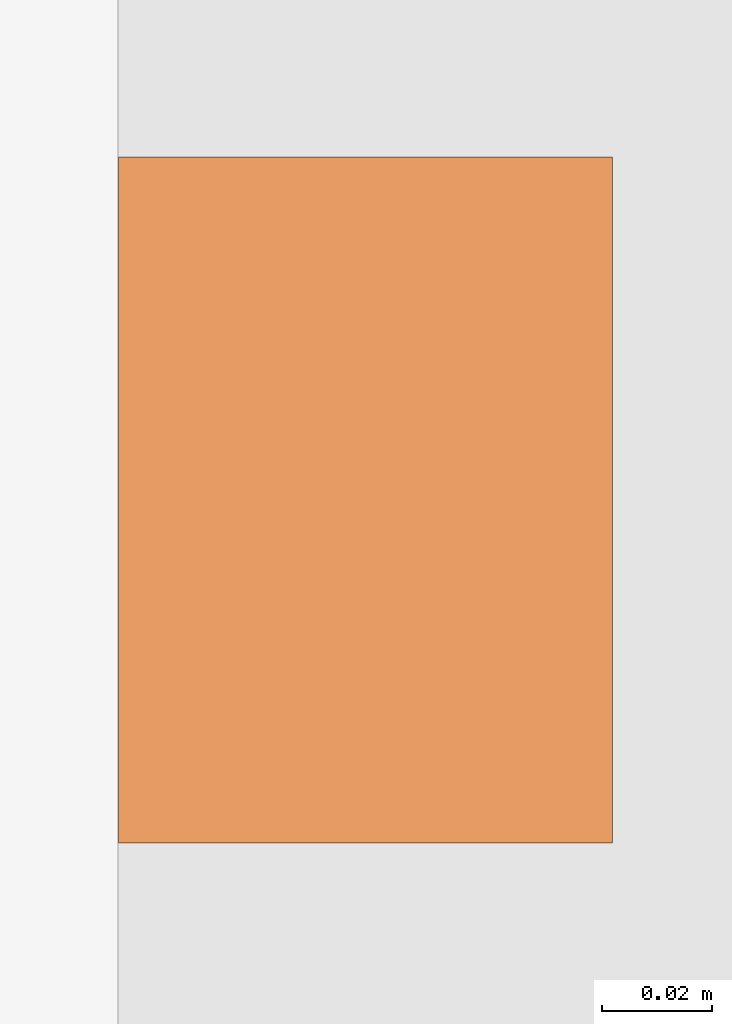
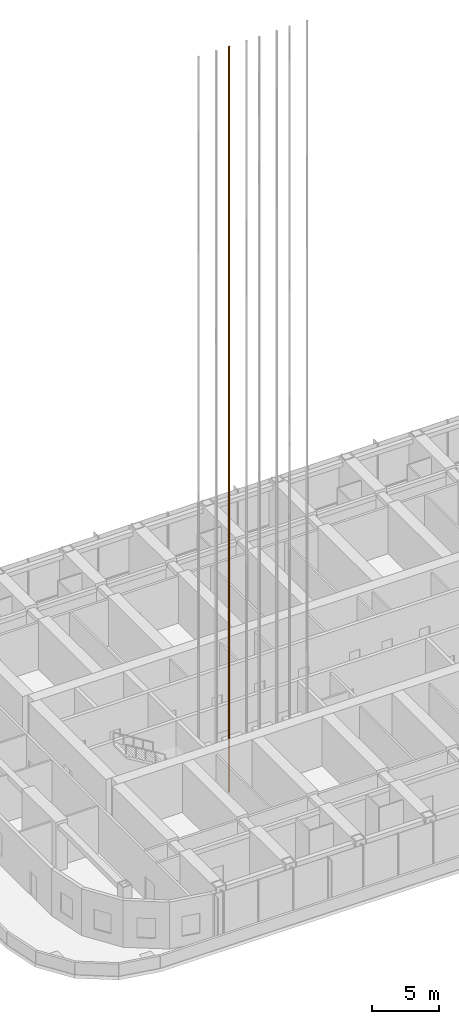
# One storey, part 27 of 32: 1 proxy.
"""IFC4 building model written with IfcOpenShell, lengths in metres."""

from ifc_helpers import new_model, si_unit, direction, frame, origin, origin_2d, place, context, subcontext, project, spatial, rectangle, extrude, material, element, save


model = new_model("IFC4")

# Units and contexts
model_context = context("Model", 3, precision=1e-05, world=origin(), true_north=direction((0.0, 1.0)))
body_context = subcontext(model_context, "Body", "Model", "MODEL_VIEW")
ifc_project = project(units=[si_unit("LENGTHUNIT", "METRE"), si_unit("AREAUNIT", "SQUARE_METRE"), si_unit("VOLUMEUNIT", "CUBIC_METRE"), si_unit("PLANEANGLEUNIT", "RADIAN"), si_unit("MASSUNIT", "GRAM", prefix="KILO")], contexts=[model_context])

# Site, building, storey
site_placement = place(None, origin())
site = spatial("IfcSite", under=ifc_project, at=site_placement, CompositionType="ELEMENT")
building_placement = place(site_placement, origin())
building = spatial("IfcBuilding", under=site, at=building_placement, Name="Orbita Commons", CompositionType="ELEMENT")
storey_placement = place(building_placement, frame((0.0, 0.0, 140.35009765625)))
storey = spatial("IfcBuildingStorey", under=building, at=storey_placement, Name="L34", CompositionType="ELEMENT", Elevation=140.35009765625)

# Proxy
ifc_material = material(Name="Machined steel guide rail", Category="steel")
placement = place(storey_placement, frame((29.89990234375, 28.10009765625, 0.0), z_axis=(0.0, 0.0, 1.0), x_axis=(1.0, 0.0, 0.0)))
proxy_placement = place(placement, frame((-0.7548828125, 0.0, -1.800048828125)))
element("IfcBuildingElementProxy", 1, at=proxy_placement, inside=storey, material=ifc_material, Name="P32 guide rail 1", ObjectType="GUIDE RAIL", PredefinedType="USERDEFINED", context=body_context, shape_type="SweptSolid", body=[
    extrude(rectangle(XDim=0.09, YDim=0.125, at=origin_2d()), origin(), (0.0, 0.0, 1.0), 67.64990234375),
])

save(model, "model.ifc")
